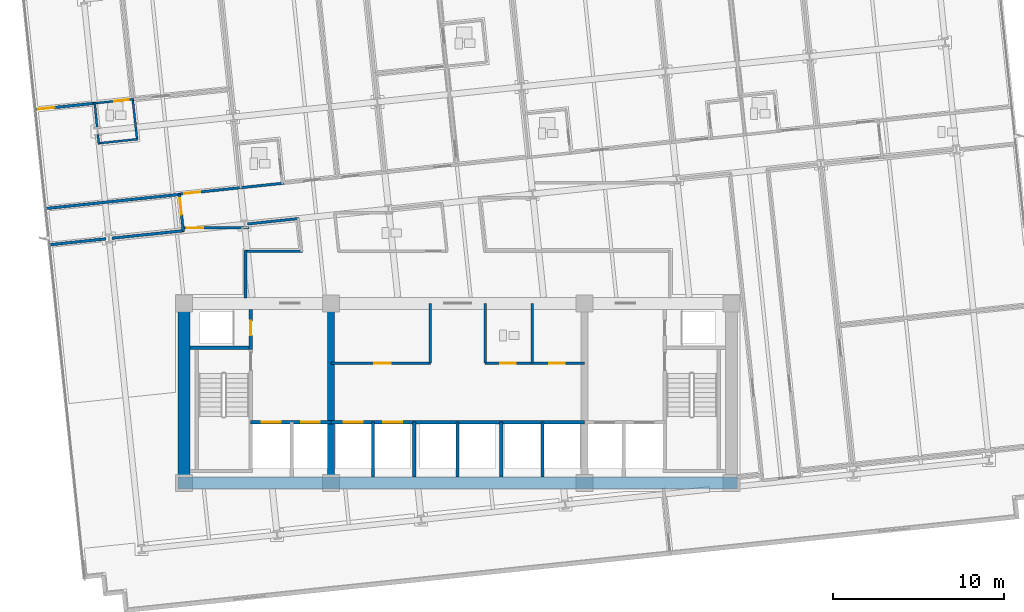
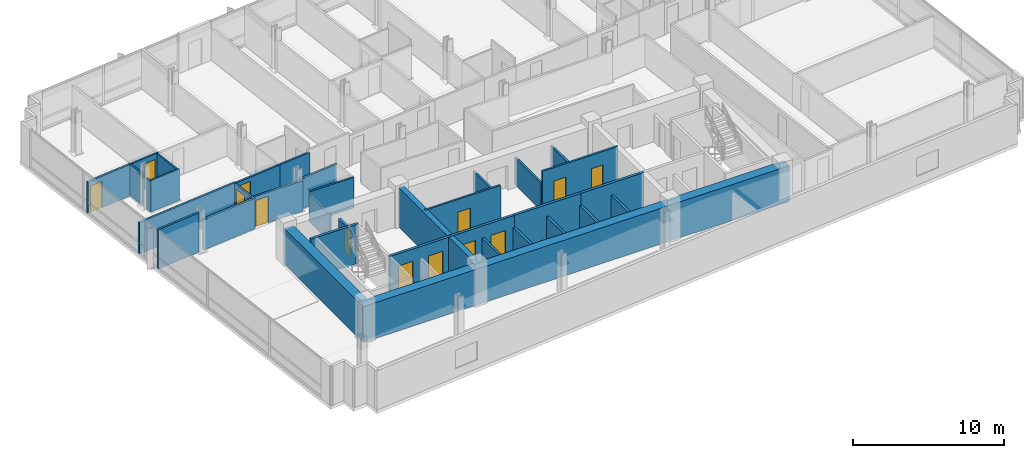
# One storey, part 10 of 19: 35 walls, 13 doors, 13 openings.
"""IFC4 building model written with IfcOpenShell, lengths in metres."""

from ifc_helpers import new_model, si_unit, direction, frame, frame_2d, origin, place, context, subcontext, project, spatial, rectangle, extrude, material, layer, layer_set, type_object, element, fill, save


model = new_model("IFC4")

# Units and contexts
model_context = context("Model", 3, precision=1e-05, world=origin(), true_north=direction((0.0, 1.0)))
body_context = subcontext(model_context, "Body", "Model", "MODEL_VIEW")
ifc_project = project(units=[si_unit("LENGTHUNIT", "METRE"), si_unit("AREAUNIT", "SQUARE_METRE"), si_unit("VOLUMEUNIT", "CUBIC_METRE"), si_unit("PLANEANGLEUNIT", "RADIAN"), si_unit("MASSUNIT", "GRAM", prefix="KILO")], contexts=[model_context])

# Site, building, storey
site_placement = place(None, origin())
site = spatial("IfcSite", under=ifc_project, at=site_placement, CompositionType="ELEMENT")
building_placement = place(site_placement, origin())
building = spatial("IfcBuilding", under=site, at=building_placement, Name="Solmavex Isthmus Hotel", CompositionType="ELEMENT")
storey_placement = place(building_placement, frame((0.0, 0.0, 83.550048828125)))
storey = spatial("IfcBuildingStorey", under=building, at=storey_placement, Name="L22", CompositionType="ELEMENT", Elevation=83.550048828125)

# Wall, opening, door
ifc_material_1 = material(Name="Gypsum plasterboard lining", Category="gypsum")
ifc_layer_1 = layer(ifc_material_1, 0.159912109375)
ifc_layer_set_1 = layer_set([ifc_layer_1], Name="Gypsum plasterboard lining")
wall_type_1 = type_object("IfcWallType", Name="IW-COMP-160", PredefinedType="PARTITIONING", material=ifc_layer_set_1)
wall_1_placement = place(storey_placement, frame((-24.714599609375, 8.822265625, 0.0), z_axis=(0.0, 0.0, 1.0), x_axis=(0.994521206634, 0.104535015934, 0.0)))
wall_1 = element("IfcWall", 1, at=wall_1_placement, inside=storey, type_object=wall_type_1, Name="Interior Partition Wall W-L22-P037", PredefinedType="PARTITIONING", context=body_context, shape_type="SweptSolid", body=[
    extrude(rectangle(XDim=3.56396484375, YDim=0.159912109375, at=frame_2d((1.781982421875, 0.0))), origin(), (0.0, 0.0, 1.0), 2.55322265625),
])
opening_1_placement = place(wall_1_placement, frame((0.2099609375, 0.0, 0.0)))
opening_1 = element("IfcOpeningElement", 2, at=opening_1_placement, cuts=wall_1, Name="Opening ID-C095", PredefinedType="OPENING", context=body_context, shape_type="SweptSolid", body=[
    extrude(rectangle(XDim=0.949951171875, YDim=2.14990234375, at=frame_2d((0.47509765625, 1.074951171875))), frame((0.0, 0.08984375, 0.0), z_axis=(0.0, -1.0, 0.0), x_axis=(1.0, 0.0, 0.0)), (0.0, 0.0, 1.0), 0.179931640625),
])
ifc_material_2 = material(Name="Hardwood timber", Category="wood")
door_type_1 = type_object("IfcDoorType", Name="IDR-FD60-0950", OperationType="NOTDEFINED", PredefinedType="DOOR", material=ifc_material_2)
door_1_placement = place(opening_1_placement, origin())
door_1 = element("IfcDoor", 3, at=door_1_placement, inside=storey, type_object=door_type_1, Name="Corner Botanical Suite Bedroom Door L22-02", OperationType="SINGLE_SWING_RIGHT", OverallHeight=2.14990234375, OverallWidth=0.949951171875, PredefinedType="DOOR", context=body_context, shape_type="SweptSolid", body=[
    extrude(rectangle(XDim=0.949951171875, YDim=2.14990234375, at=frame_2d((0.47509765625, 1.074951171875))), frame((0.0, 0.02490234375, 0.0), z_axis=(0.0, -1.0, 0.0), x_axis=(1.0, 0.0, 0.0)), (0.0, 0.0, 1.0), 0.050048828125),
])
fill(opening_1, door_1)

# Walls
wall_2_placement = place(storey_placement, frame((-16.221923828125, 3.86474609375, 0.0), z_axis=(0.0, 0.0, 1.0), x_axis=(-0.994522987852, -0.104518068455, 0.0)))
element("IfcWall", 4, at=wall_2_placement, inside=storey, type_object=wall_type_1, Name="Interior Partition Wall W-L22-P046", PredefinedType="PARTITIONING", context=body_context, shape_type="SweptSolid", body=[
    extrude(rectangle(XDim=7.927978515625, YDim=0.159912109375, at=frame_2d((3.9638671875, 0.0))), origin(), (0.0, 0.0, 1.0), 2.55322265625),
])
wall_3_placement = place(storey_placement, frame((-20.558349609375, 1.267333984375, 0.0), z_axis=(0.0, 0.0, 1.0), x_axis=(-0.99451904707, -0.10455555946, 0.0)))
element("IfcWall", 5, at=wall_3_placement, inside=storey, type_object=wall_type_1, Name="Interior Partition Wall W-L22-P086", PredefinedType="PARTITIONING", context=body_context, shape_type="SweptSolid", body=[
    extrude(rectangle(XDim=3.34375, YDim=0.159912109375, at=frame_2d((1.671875, 0.0))), origin(), (0.0, 0.0, 1.0), 3.18994140625),
])
wall_4_placement = place(storey_placement, frame((-15.9892578125, 1.74755859375, 0.0), z_axis=(0.0, 0.0, 1.0), x_axis=(-0.994523098997, -0.104517010867, 0.0)))
element("IfcWall", 6, at=wall_4_placement, inside=storey, type_object=wall_type_1, Name="Interior Partition Wall W-L22-P087", PredefinedType="PARTITIONING", context=body_context, shape_type="SweptSolid", body=[
    extrude(rectangle(XDim=4.241943359375, YDim=0.159912109375, at=frame_2d((2.12109375, 0.0))), origin(), (0.0, 0.0, 1.0), 2.4794921875),
])

# Wall, opening, door
ifc_layer_2 = layer(ifc_material_1, 0.14990234375)
ifc_layer_set_2 = layer_set([ifc_layer_2], Name="Gypsum plasterboard lining")
wall_type_2 = type_object("IfcWallType", Name="IW-CORR-150", PredefinedType="PARTITIONING", material=ifc_layer_set_2)
wall_5_placement = place(storey_placement, frame((-7.39990234375, -6.0, 0.0), z_axis=(0.0, 0.0, 1.0), x_axis=(1.0, 0.0, 0.0)))
wall_5 = element("IfcWall", 7, at=wall_5_placement, inside=storey, type_object=wall_type_2, Name="Interior Partition Wall W-L22-BOH-WS", PredefinedType="PARTITIONING", context=body_context, shape_type="SweptSolid", body=[
    extrude(rectangle(XDim=5.7998046875, YDim=0.14990234375, at=frame_2d((2.89990234375, 0.0))), origin(), (0.0, 0.0, 1.0), 3.18994140625),
])
opening_2_placement = place(wall_5_placement, frame((2.52490234375, 0.0, 0.0)))
opening_2 = element("IfcOpeningElement", 8, at=opening_2_placement, cuts=wall_5, Name="Opening ID-C095", PredefinedType="OPENING", context=body_context, shape_type="SweptSolid", body=[
    extrude(rectangle(XDim=0.949951171875, YDim=2.14990234375, at=frame_2d((0.47509765625, 1.074951171875))), frame((0.0, 0.0849609375, 0.0), z_axis=(0.0, -1.0, 0.0), x_axis=(1.0, 0.0, 0.0)), (0.0, 0.0, 1.0), 0.169921875),
])
door_2_placement = place(opening_2_placement, frame((0.949951171875, 0.0, 0.0), z_axis=(0.0, 0.0, 1.0), x_axis=(-1.0, 0.0, 0.0)))
door_2 = element("IfcDoor", 9, at=door_2_placement, inside=storey, type_object=door_type_1, Name="Housekeeping Room Door L22", OperationType="SINGLE_SWING_LEFT", OverallHeight=2.14990234375, OverallWidth=0.949951171875, PredefinedType="DOOR", context=body_context, shape_type="SweptSolid", body=[
    extrude(rectangle(XDim=0.949951171875, YDim=2.14990234375, at=frame_2d((0.47509765625, 1.074951171875))), frame((0.0, 0.02490234375, 0.0), z_axis=(0.0, -1.0, 0.0), x_axis=(1.0, 0.0, 0.0)), (0.0, 0.0, 1.0), 0.050048828125),
])
fill(opening_2, door_2)

# Wall
wall_6_placement = place(storey_placement, frame((-1.60009765625, -6.0, 0.0), z_axis=(0.0, 0.0, 1.0), x_axis=(0.0, 1.0, 0.0)))
element("IfcWall", 10, at=wall_6_placement, inside=storey, type_object=wall_type_2, Name="Interior Partition Wall W-L22-BOH-WE", PredefinedType="PARTITIONING", context=body_context, shape_type="SweptSolid", body=[
    extrude(rectangle(XDim=3.5, YDim=0.14990234375, at=frame_2d((1.75, 0.0))), origin(), (0.0, 0.0, 1.0), 2.224853515625),
])

# Wall, openings, doors
wall_7_placement = place(storey_placement, frame((1.60009765625, -6.0, 0.0), z_axis=(0.0, 0.0, 1.0), x_axis=(1.0, 0.0, 0.0)))
wall_7 = element("IfcWall", 11, at=wall_7_placement, inside=storey, type_object=wall_type_2, Name="Interior Partition Wall W-L22-BOH-ES", PredefinedType="PARTITIONING", context=body_context, shape_type="SweptSolid", body=[
    extrude(rectangle(XDim=5.7998046875, YDim=0.14990234375, at=frame_2d((2.89990234375, 0.0))), origin(), (0.0, 0.0, 1.0), 3.18994140625),
])
opening_3_placement = place(wall_7_placement, frame((0.89990234375, 0.0, 0.0)))
opening_3 = element("IfcOpeningElement", 12, at=opening_3_placement, cuts=wall_7, Name="Opening ID-C090", PredefinedType="OPENING", context=body_context, shape_type="SweptSolid", body=[
    extrude(rectangle(XDim=0.89990234375, YDim=2.10009765625, at=frame_2d((0.449951171875, 1.050048828125))), frame((0.0, 0.0849609375, 0.0), z_axis=(0.0, -1.0, 0.0), x_axis=(1.0, 0.0, 0.0)), (0.0, 0.0, 1.0), 0.169921875),
])
opening_4_placement = place(wall_7_placement, frame((3.75, 0.0, 0.0)))
opening_4 = element("IfcOpeningElement", 13, at=opening_4_placement, cuts=wall_7, Name="Opening ID-C090", PredefinedType="OPENING", context=body_context, shape_type="SweptSolid", body=[
    extrude(rectangle(XDim=0.89990234375, YDim=2.10009765625, at=frame_2d((0.449951171875, 1.050048828125))), frame((0.0, 0.0849609375, 0.0), z_axis=(0.0, -1.0, 0.0), x_axis=(1.0, 0.0, 0.0)), (0.0, 0.0, 1.0), 0.169921875),
])
door_type_2 = type_object("IfcDoorType", Name="IDR-FD60-0900", OperationType="NOTDEFINED", PredefinedType="DOOR", material=ifc_material_2)
door_3_placement = place(opening_3_placement, frame((0.89990234375, 0.0, 0.0), z_axis=(0.0, 0.0, 1.0), x_axis=(-1.0, 0.0, 0.0)))
door_3 = element("IfcDoor", 14, at=door_3_placement, inside=storey, type_object=door_type_2, Name="Staff WC Door L22", OperationType="SINGLE_SWING_RIGHT", OverallHeight=2.10009765625, OverallWidth=0.89990234375, PredefinedType="DOOR", context=body_context, shape_type="SweptSolid", body=[
    extrude(rectangle(XDim=0.89990234375, YDim=2.10009765625, at=frame_2d((0.449951171875, 1.050048828125))), frame((0.0, 0.02490234375, 0.0), z_axis=(0.0, -1.0, 0.0), x_axis=(1.0, 0.0, 0.0)), (0.0, 0.0, 1.0), 0.050048828125),
])
fill(opening_3, door_3)
door_4_placement = place(opening_4_placement, frame((0.89990234375, 0.0, 0.0), z_axis=(0.0, 0.0, 1.0), x_axis=(-1.0, 0.0, 0.0)))
door_4 = element("IfcDoor", 15, at=door_4_placement, inside=storey, type_object=door_type_2, Name="Pantry Door L22", OperationType="SINGLE_SWING_LEFT", OverallHeight=2.10009765625, OverallWidth=0.89990234375, PredefinedType="DOOR", context=body_context, shape_type="SweptSolid", body=[
    extrude(rectangle(XDim=0.89990234375, YDim=2.10009765625, at=frame_2d((0.449951171875, 1.050048828125))), frame((0.0, 0.02490234375, 0.0), z_axis=(0.0, -1.0, 0.0), x_axis=(1.0, 0.0, 0.0)), (0.0, 0.0, 1.0), 0.050048828125),
])
fill(opening_4, door_4)

# Wall
wall_8_placement = place(storey_placement, frame((1.60009765625, -6.0, 0.0), z_axis=(0.0, 0.0, 1.0), x_axis=(0.0, 1.0, 0.0)))
element("IfcWall", 16, at=wall_8_placement, inside=storey, type_object=wall_type_2, Name="Interior Partition Wall W-L22-BOH-EW", PredefinedType="PARTITIONING", context=body_context, shape_type="SweptSolid", body=[
    extrude(rectangle(XDim=3.5, YDim=0.14990234375, at=frame_2d((1.75, 0.0))), origin(), (0.0, 0.0, 1.0), 2.224853515625),
])

# Wall, opening, door
wall_9_placement = place(storey_placement, frame((-16.303466796875, 3.87646484375, 0.0), z_axis=(0.0, 0.0, 1.0), x_axis=(0.994525204328, 0.104496975826, 0.0)))
wall_9 = element("IfcWall", 17, at=wall_9_placement, inside=storey, type_object=wall_type_2, Name="Interior Partition Wall W-L22-P001", PredefinedType="PARTITIONING", context=body_context, shape_type="SweptSolid", body=[
    extrude(rectangle(XDim=3.7216796875, YDim=0.14990234375, at=frame_2d((1.86083984375, 0.0))), origin(), (0.0, 0.0, 1.0), 2.4794921875),
])
opening_5_placement = place(wall_9_placement, frame((0.315185546875, 0.0, 0.0)))
opening_5 = element("IfcOpeningElement", 18, at=opening_5_placement, cuts=wall_9, Name="Opening ID-C095", PredefinedType="OPENING", context=body_context, shape_type="SweptSolid", body=[
    extrude(rectangle(XDim=0.949951171875, YDim=2.14990234375, at=frame_2d((0.47509765625, 1.074951171875))), frame((0.0, 0.0849609375, 0.0), z_axis=(0.0, -1.0, 0.0), x_axis=(1.0, 0.0, 0.0)), (0.0, 0.0, 1.0), 0.169921875),
])
door_5_placement = place(opening_5_placement, origin())
door_5 = element("IfcDoor", 19, at=door_5_placement, inside=storey, type_object=door_type_1, Name="Corner Botanical Suite Reception Foyer Door L22-01", OperationType="SINGLE_SWING_LEFT", OverallHeight=2.14990234375, OverallWidth=0.949951171875, PredefinedType="DOOR", context=body_context, shape_type="SweptSolid", body=[
    extrude(rectangle(XDim=0.949951171875, YDim=2.14990234375, at=frame_2d((0.47509765625, 1.074951171875))), frame((0.0, 0.02490234375, 0.0), z_axis=(0.0, -1.0, 0.0), x_axis=(1.0, 0.0, 0.0)), (0.0, 0.0, 1.0), 0.050048828125),
])
fill(opening_5, door_5)

# Wall
wall_10_placement = place(storey_placement, frame((-12.76513671875, 4.248291015625, 0.0), z_axis=(0.0, 0.0, 1.0), x_axis=(0.994524370789, 0.104504908528, 0.0)))
element("IfcWall", 20, at=wall_10_placement, inside=storey, type_object=wall_type_2, Name="Interior Partition Wall W-L22-P003", PredefinedType="PARTITIONING", context=body_context, shape_type="SweptSolid", body=[
    extrude(rectangle(XDim=2.6142578125, YDim=0.14990234375, at=frame_2d((1.30712890625, 0.0))), origin(), (0.0, 0.0, 1.0), 2.4794921875),
])

# Wall, opening, door
wall_11_placement = place(storey_placement, frame((-16.034912109375, 1.70263671875, 0.0), z_axis=(0.0, 0.0, 1.0), x_axis=(-0.104512255544, 0.994523598735, 0.0)))
wall_11 = element("IfcWall", 21, at=wall_11_placement, inside=storey, type_object=wall_type_2, Name="Interior Partition Wall W-L22-P020", PredefinedType="PARTITIONING", context=body_context, shape_type="SweptSolid", body=[
    extrude(rectangle(XDim=2.2099609375, YDim=0.14990234375, at=frame_2d((1.10498046875, 0.0))), origin(), (0.0, 0.0, 1.0), 2.4794921875),
])
opening_6_placement = place(wall_11_placement, frame((0.98779296875, 0.0, 0.0)))
opening_6 = element("IfcOpeningElement", 22, at=opening_6_placement, cuts=wall_11, Name="Opening ID-C095", PredefinedType="OPENING", context=body_context, shape_type="SweptSolid", body=[
    extrude(rectangle(XDim=0.949951171875, YDim=2.14990234375, at=frame_2d((0.47509765625, 1.074951171875))), frame((0.0, 0.0849609375, 0.0), z_axis=(0.0, -1.0, 0.0), x_axis=(1.0, 0.0, 0.0)), (0.0, 0.0, 1.0), 0.169921875),
])
door_6_placement = place(opening_6_placement, origin())
door_6 = element("IfcDoor", 23, at=door_6_placement, inside=storey, type_object=door_type_1, Name="Wellness Treatment Room Door L22-21", OperationType="SINGLE_SWING_LEFT", OverallHeight=2.14990234375, OverallWidth=0.949951171875, PredefinedType="DOOR", context=body_context, shape_type="SweptSolid", body=[
    extrude(rectangle(XDim=0.949951171875, YDim=2.14990234375, at=frame_2d((0.47509765625, 1.074951171875))), frame((0.0, 0.02490234375, 0.0), z_axis=(0.0, -1.0, 0.0), x_axis=(1.0, 0.0, 0.0)), (0.0, 0.0, 1.0), 0.050048828125),
])
fill(opening_6, door_6)

# Walls
wall_12_placement = place(storey_placement, frame((-12.39990234375, -2.18994140625, 0.0), z_axis=(0.0, 0.0, 1.0), x_axis=(0.0, 1.0, 0.0)))
element("IfcWall", 24, at=wall_12_placement, inside=storey, type_object=wall_type_2, Name="Interior Partition Wall W-L22-P031", PredefinedType="PARTITIONING", context=body_context, shape_type="SweptSolid", body=[
    extrude(rectangle(XDim=2.780029296875, YDim=0.14990234375, at=frame_2d((1.39013671875, 0.0))), origin(), (0.0, 0.0, 1.0), 2.224853515625),
])
wall_13_placement = place(storey_placement, frame((-12.43994140625, 0.550048828125, 0.0), z_axis=(0.0, 0.0, 1.0), x_axis=(1.0, 0.0, 0.0)))
element("IfcWall", 25, at=wall_13_placement, inside=storey, type_object=wall_type_2, Name="Interior Partition Wall W-L22-P032", PredefinedType="PARTITIONING", context=body_context, shape_type="SweptSolid", body=[
    extrude(rectangle(XDim=3.3564453125, YDim=0.14990234375, at=frame_2d((1.67822265625, 0.0))), origin(), (0.0, 0.0, 1.0), 2.4794921875),
])
wall_14_placement = place(storey_placement, frame((-9.283203125, 2.452392578125, 0.0), z_axis=(0.0, 0.0, 1.0), x_axis=(-0.994518748051, -0.104558403652, 0.0)))
element("IfcWall", 26, at=wall_14_placement, inside=storey, type_object=wall_type_2, Name="Interior Partition Wall W-L22-P034", PredefinedType="PARTITIONING", context=body_context, shape_type="SweptSolid", body=[
    extrude(rectangle(XDim=3.016845703125, YDim=0.14990234375, at=frame_2d((1.50830078125, 0.0))), origin(), (0.0, 0.0, 1.0), 2.4794921875),
])

# Wall, opening, door
wall_15_placement = place(storey_placement, frame((-12.203857421875, 1.903564453125, 0.0), z_axis=(0.0, 0.0, 1.0), x_axis=(-1.0, 0.0, 0.0)))
wall_15 = element("IfcWall", 27, at=wall_15_placement, inside=storey, type_object=wall_type_2, Name="Interior Partition Wall W-L22-P035", PredefinedType="PARTITIONING", context=body_context, shape_type="SweptSolid", body=[
    extrude(rectangle(XDim=3.875, YDim=0.14990234375, at=frame_2d((1.9375, 0.0))), origin(), (0.0, 0.0, 1.0), 2.4794921875),
])
opening_7_placement = place(wall_15_placement, frame((2.6669921875, 0.0, 0.0)))
opening_7 = element("IfcOpeningElement", 28, at=opening_7_placement, cuts=wall_15, Name="Opening ID-C095", PredefinedType="OPENING", context=body_context, shape_type="SweptSolid", body=[
    extrude(rectangle(XDim=0.949951171875, YDim=2.14990234375, at=frame_2d((0.47509765625, 1.074951171875))), frame((0.0, 0.0849609375, 0.0), z_axis=(0.0, -1.0, 0.0), x_axis=(1.0, 0.0, 0.0)), (0.0, 0.0, 1.0), 0.169921875),
])
door_7_placement = place(opening_7_placement, origin())
door_7 = element("IfcDoor", 29, at=door_7_placement, inside=storey, type_object=door_type_1, Name="Wellness Treatment Room Door L22-25", OperationType="SINGLE_SWING_LEFT", OverallHeight=2.14990234375, OverallWidth=0.949951171875, PredefinedType="DOOR", context=body_context, shape_type="SweptSolid", body=[
    extrude(rectangle(XDim=0.949951171875, YDim=2.14990234375, at=frame_2d((0.47509765625, 1.074951171875))), frame((0.0, 0.02490234375, 0.0), z_axis=(0.0, -1.0, 0.0), x_axis=(1.0, 0.0, 0.0)), (0.0, 0.0, 1.0), 0.050048828125),
])
fill(opening_7, door_7)

# Walls
ifc_layer_3 = layer(ifc_material_1, 0.1201171875)
ifc_layer_set_3 = layer_set([ifc_layer_3], Name="Gypsum plasterboard lining")
wall_type_3 = type_object("IfcWallType", Name="IW-PART-120", PredefinedType="PARTITIONING", material=ifc_layer_set_3)
wall_16_placement = place(storey_placement, frame((4.35009765625, -6.0, 0.0), z_axis=(0.0, 0.0, 1.0), x_axis=(0.0, 1.0, 0.0)))
element("IfcWall", 30, at=wall_16_placement, inside=storey, type_object=wall_type_3, Name="Interior Partition Wall W-L22-BOH-EM0", PredefinedType="PARTITIONING", context=body_context, shape_type="SweptSolid", body=[
    extrude(rectangle(XDim=3.5, YDim=0.14990234375, at=frame_2d((1.75, 0.0))), origin(), (0.0, 0.0, 1.0), 2.224853515625),
])
wall_17_placement = place(storey_placement, frame((-21.2138671875, 9.23046875, 0.0), z_axis=(0.0, 0.0, 1.0), x_axis=(0.097602755553, -0.995225452904, 0.0)))
element("IfcWall", 31, at=wall_17_placement, inside=storey, type_object=wall_type_3, Name="Interior Partition Wall W-L22-P039", PredefinedType="PARTITIONING", context=body_context, shape_type="SweptSolid", body=[
    extrude(rectangle(XDim=1.513427734375, YDim=0.1201171875, at=frame_2d((0.7568359375, 0.0))), origin(), (0.0, 0.0, 1.0), 2.55322265625),
])
wall_18_placement = place(storey_placement, frame((-21.029052734375, 7.3740234375, 0.0), z_axis=(0.0, 0.0, 1.0), x_axis=(0.104684784518, -0.994505452921, 0.0)))
element("IfcWall", 32, at=wall_18_placement, inside=storey, type_object=wall_type_3, Name="Interior Partition Wall W-L22-P040", PredefinedType="PARTITIONING", context=body_context, shape_type="SweptSolid", body=[
    extrude(rectangle(XDim=0.564453125, YDim=0.1201171875, at=frame_2d((0.2822265625, 0.0))), origin(), (0.0, 0.0, 1.0), 2.4794921875),
])
wall_19_placement = place(storey_placement, frame((-21.013916015625, 6.84814453125, 0.0), z_axis=(0.0, 0.0, 1.0), x_axis=(0.994516930255, 0.104575692382, 0.0)))
element("IfcWall", 33, at=wall_19_placement, inside=storey, type_object=wall_type_3, Name="Interior Partition Wall W-L22-P041", PredefinedType="PARTITIONING", context=body_context, shape_type="SweptSolid", body=[
    extrude(rectangle(XDim=2.329833984375, YDim=0.1201171875, at=frame_2d((1.1650390625, 0.0))), origin(), (0.0, 0.0, 1.0), 2.55322265625),
])
wall_20_placement = place(storey_placement, frame((-18.732177734375, 7.0478515625, 0.0), z_axis=(0.0, 0.0, 1.0), x_axis=(-0.108810361378, 0.994062525829, 0.0)))
element("IfcWall", 34, at=wall_20_placement, inside=storey, type_object=wall_type_3, Name="Interior Partition Wall W-L22-P042", PredefinedType="PARTITIONING", context=body_context, shape_type="SweptSolid", body=[
    extrude(rectangle(XDim=2.429931640625, YDim=0.1201171875, at=frame_2d((1.21484375, 0.0))), origin(), (0.0, 0.0, 1.0), 2.4794921875),
])

# Wall, opening, door
wall_21_placement = place(storey_placement, frame((-18.9423828125, 9.428955078125, 0.0), z_axis=(0.0, 0.0, 1.0), x_axis=(-0.994517852755, -0.104566919011, 0.0)))
wall_21 = element("IfcWall", 35, at=wall_21_placement, inside=storey, type_object=wall_type_3, Name="Interior Partition Wall W-L22-P048", PredefinedType="PARTITIONING", context=body_context, shape_type="SweptSolid", body=[
    extrude(rectangle(XDim=2.3720703125, YDim=0.1201171875, at=frame_2d((1.18603515625, 0.0))), origin(), (0.0, 0.0, 1.0), 2.55322265625),
])
opening_8_placement = place(wall_21_placement, frame((0.27978515625, 0.0, 0.0)))
opening_8 = element("IfcOpeningElement", 36, at=opening_8_placement, cuts=wall_21, Name="Opening ID-U085", PredefinedType="OPENING", context=body_context, shape_type="SweptSolid", body=[
    extrude(rectangle(XDim=0.85009765625, YDim=2.10009765625, at=frame_2d((0.425048828125, 1.050048828125))), frame((0.0, 0.070068359375, 0.0), z_axis=(0.0, -1.0, 0.0), x_axis=(1.0, 0.0, 0.0)), (0.0, 0.0, 1.0), 0.14013671875),
])
door_type_3 = type_object("IfcDoorType", Name="IDR-UNR-0850", OperationType="NOTDEFINED", PredefinedType="DOOR", material=ifc_material_2)
door_8_placement = place(opening_8_placement, frame((0.85009765625, 0.0, 0.0), z_axis=(0.0, 0.0, 1.0), x_axis=(-1.0, 0.0, 0.0)))
door_8 = element("IfcDoor", 37, at=door_8_placement, inside=storey, type_object=door_type_3, Name="En-suite Bathroom Door L22-04", OperationType="SINGLE_SWING_RIGHT", OverallHeight=2.10009765625, OverallWidth=0.85009765625, PredefinedType="DOOR", context=body_context, shape_type="SweptSolid", body=[
    extrude(rectangle(XDim=0.85009765625, YDim=2.10009765625, at=frame_2d((0.425048828125, 1.050048828125))), frame((0.0, 0.02490234375, 0.0), z_axis=(0.0, -1.0, 0.0), x_axis=(1.0, 0.0, 0.0)), (0.0, 0.0, 1.0), 0.050048828125),
])
fill(opening_8, door_8)

# Walls
ifc_material_3 = material(Name="Concrete C40/50", Category="concrete")
ifc_layer_4 = layer(ifc_material_3, 0.179931640625)
ifc_layer_set_4 = layer_set([ifc_layer_4], Name="Concrete C40/50")
wall_type_4 = type_object("IfcWallType", Name="IW-SHAFT-180", PredefinedType="PARTITIONING", material=ifc_layer_set_4)
for number, where, z_axis, x_axis, name in (
    (38, (-4.949951171875, -12.64990234375, 0.0), (0.0, 0.0, 1.0), (0.0, 1.0, 0.0), "Interior Partition Wall W-L22-SH-PLL-M"),
    (39, (0.0, -12.64990234375, 0.0), (0.0, 0.0, 1.0), (0.0, 1.0, 0.0), "Interior Partition Wall W-L22-SH-PLM-M"),
    (40, (4.949951171875, -12.64990234375, 0.0), (0.0, 0.0, 1.0), (0.0, 1.0, 0.0), "Interior Partition Wall W-L22-SH-PLH-M"),
):
    element("IfcWall", number, at=place(storey_placement, frame(where, z_axis=z_axis, x_axis=x_axis)), inside=storey, type_object=wall_type_4, Name=name, PredefinedType="PARTITIONING", context=body_context, shape_type="SweptSolid", body=[
        extrude(rectangle(XDim=3.199951171875, YDim=0.179931640625, at=frame_2d((1.60009765625, 0.0))), origin(), (0.0, 0.0, 1.0), 2.224853515625),
    ])

# Wall, opening, door
ifc_layer_5 = layer(ifc_material_3, 0.199951171875)
ifc_layer_set_5 = layer_set([ifc_layer_5], Name="Concrete C40/50")
wall_type_5 = type_object("IfcWallType", Name="IW-SHAFT-200", PredefinedType="PARTITIONING", material=ifc_layer_set_5)
wall_22_placement = place(storey_placement, frame((-12.10009765625, -5.199951171875, 0.0), z_axis=(0.0, 0.0, 1.0), x_axis=(0.0, 1.0, 0.0)))
wall_22 = element("IfcWall", 41, at=wall_22_placement, inside=storey, type_object=wall_type_5, Name="Interior Partition Wall W-L22-RSW-E", PredefinedType="PARTITIONING", context=body_context, shape_type="SweptSolid", body=[
    extrude(rectangle(XDim=2.349853515625, YDim=0.199951171875, at=frame_2d((1.1748046875, 0.0))), origin(), (0.0, 0.0, 1.0), 2.224853515625),
])
opening_9_placement = place(wall_22_placement, frame((0.824951171875, 0.0, 0.0)))
opening_9 = element("IfcOpeningElement", 42, at=opening_9_placement, cuts=wall_22, Name="Opening ID-R085", PredefinedType="OPENING", context=body_context, shape_type="SweptSolid", body=[
    extrude(rectangle(XDim=0.85009765625, YDim=2.050048828125, at=frame_2d((0.425048828125, 1.02490234375))), frame((0.0, 0.10986328125, 0.0), z_axis=(0.0, -1.0, 0.0), x_axis=(1.0, 0.0, 0.0)), (0.0, 0.0, 1.0), 0.219970703125),
])
ifc_material_4 = material(Name="Steel ASTM A500 Grade C", Category="steel")
door_type_4 = type_object("IfcDoorType", Name="IDR-FD60-0850", OperationType="NOTDEFINED", PredefinedType="DOOR", material=ifc_material_4)
door_9_placement = place(opening_9_placement, origin())
door_9 = element("IfcDoor", 43, at=door_9_placement, inside=storey, type_object=door_type_4, Name="Electrical Riser Door L22", OperationType="SINGLE_SWING_RIGHT", OverallHeight=2.050048828125, OverallWidth=0.85009765625, PredefinedType="DOOR", context=body_context, shape_type="SweptSolid", body=[
    extrude(rectangle(XDim=0.85009765625, YDim=2.050048828125, at=frame_2d((0.425048828125, 1.02490234375))), frame((0.0, 0.02490234375, 0.0), z_axis=(0.0, -1.0, 0.0), x_axis=(1.0, 0.0, 0.0)), (0.0, 0.0, 1.0), 0.050048828125),
])
fill(opening_9, door_9)

# Wall, openings, doors
wall_23_placement = place(storey_placement, frame((-12.10009765625, -9.449951171875, 0.0), z_axis=(0.0, 0.0, 1.0), x_axis=(1.0, 0.0, 0.0)))
wall_23 = element("IfcWall", 44, at=wall_23_placement, inside=storey, type_object=wall_type_5, Name="Interior Partition Wall W-L22-FFLW-S", PredefinedType="PARTITIONING", context=body_context, shape_type="SweptSolid", body=[
    extrude(rectangle(XDim=4.7001953125, YDim=0.199951171875, at=frame_2d((2.35009765625, 0.0))), origin(), (0.0, 0.0, 1.0), 3.18994140625),
])
opening_10_placement = place(wall_23_placement, frame((0.64990234375, 0.0, 0.0)))
opening_10 = element("IfcOpeningElement", 45, at=opening_10_placement, cuts=wall_23, Name="Opening LD-FF", PredefinedType="OPENING", context=body_context, shape_type="SweptSolid", body=[
    extrude(rectangle(XDim=1.10009765625, YDim=2.199951171875, at=frame_2d((0.550048828125, 1.10009765625))), frame((0.0, 0.10986328125, 0.0), z_axis=(0.0, -1.0, 0.0), x_axis=(1.0, 0.0, 0.0)), (0.0, 0.0, 1.0), 0.219970703125),
])
opening_11_placement = place(wall_23_placement, frame((2.949951171875, 0.0, 0.0)))
opening_11 = element("IfcOpeningElement", 46, at=opening_11_placement, cuts=wall_23, Name="Opening LD-SV", PredefinedType="OPENING", context=body_context, shape_type="SweptSolid", body=[
    extrude(rectangle(XDim=1.10009765625, YDim=2.199951171875, at=frame_2d((0.550048828125, 1.10009765625))), frame((0.0, 0.10986328125, 0.0), z_axis=(0.0, -1.0, 0.0), x_axis=(1.0, 0.0, 0.0)), (0.0, 0.0, 1.0), 0.219970703125),
])
ifc_material_5 = material(Name="Stainless steel 316", Category="steel")
door_type_5 = type_object("IfcDoorType", Name="LDR-FF-1100", OperationType="NOTDEFINED", PredefinedType="DOOR", material=ifc_material_5)
door_10_placement = place(opening_10_placement, origin())
door_10 = element("IfcDoor", 47, at=door_10_placement, inside=storey, type_object=door_type_5, Name="Lift Landing Door FFL-1 L22", OperationType="SLIDING_TO_LEFT", OverallHeight=2.199951171875, OverallWidth=1.10009765625, PredefinedType="DOOR", context=body_context, shape_type="SweptSolid", body=[
    extrude(rectangle(XDim=1.10009765625, YDim=2.199951171875, at=frame_2d((0.550048828125, 1.10009765625))), frame((0.0, 0.02490234375, 0.0), z_axis=(0.0, -1.0, 0.0), x_axis=(1.0, 0.0, 0.0)), (0.0, 0.0, 1.0), 0.050048828125),
])
fill(opening_10, door_10)
door_type_6 = type_object("IfcDoorType", Name="LDR-SV-1100", OperationType="NOTDEFINED", PredefinedType="DOOR", material=ifc_material_5)
door_11_placement = place(opening_11_placement, origin())
door_11 = element("IfcDoor", 48, at=door_11_placement, inside=storey, type_object=door_type_6, Name="Lift Landing Door SVL-1 L22", OperationType="SLIDING_TO_RIGHT", OverallHeight=2.199951171875, OverallWidth=1.10009765625, PredefinedType="DOOR", context=body_context, shape_type="SweptSolid", body=[
    extrude(rectangle(XDim=1.10009765625, YDim=2.199951171875, at=frame_2d((0.550048828125, 1.10009765625))), frame((0.0, 0.02490234375, 0.0), z_axis=(0.0, -1.0, 0.0), x_axis=(1.0, 0.0, 0.0)), (0.0, 0.0, 1.0), 0.050048828125),
])
fill(opening_11, door_11)

wall_24_placement = place(storey_placement, frame((-7.39990234375, -9.449951171875, 0.0), z_axis=(0.0, 0.0, 1.0), x_axis=(1.0, 0.0, 0.0)))
wall_24 = element("IfcWall", 49, at=wall_24_placement, inside=storey, type_object=wall_type_5, Name="Interior Partition Wall W-L22-SH-PLL", PredefinedType="PARTITIONING", context=body_context, shape_type="SweptSolid", body=[
    extrude(rectangle(XDim=4.849853515625, YDim=0.199951171875, at=frame_2d((2.4248046875, 0.0))), origin(), (0.0, 0.0, 1.0), 3.18994140625),
])
opening_12_placement = place(wall_24_placement, frame((0.75, 0.0, 0.0)))
opening_12 = element("IfcOpeningElement", 50, at=opening_12_placement, cuts=wall_24, Name="Opening LD-PL", PredefinedType="OPENING", context=body_context, shape_type="SweptSolid", body=[
    extrude(rectangle(XDim=1.10009765625, YDim=2.199951171875, at=frame_2d((0.550048828125, 1.10009765625))), frame((0.0, 0.10986328125, 0.0), z_axis=(0.0, -1.0, 0.0), x_axis=(1.0, 0.0, 0.0)), (0.0, 0.0, 1.0), 0.219970703125),
])
opening_13_placement = place(wall_24_placement, frame((3.050048828125, 0.0, 0.0)))
opening_13 = element("IfcOpeningElement", 51, at=opening_13_placement, cuts=wall_24, Name="Opening LD-PL", PredefinedType="OPENING", context=body_context, shape_type="SweptSolid", body=[
    extrude(rectangle(XDim=1.10009765625, YDim=2.199951171875, at=frame_2d((0.550048828125, 1.10009765625))), frame((0.0, 0.10986328125, 0.0), z_axis=(0.0, -1.0, 0.0), x_axis=(1.0, 0.0, 0.0)), (0.0, 0.0, 1.0), 0.219970703125),
])
door_type_7 = type_object("IfcDoorType", Name="LDR-PL-1100", OperationType="NOTDEFINED", PredefinedType="DOOR", material=ifc_material_5)
door_12_placement = place(opening_12_placement, origin())
door_12 = element("IfcDoor", 52, at=door_12_placement, inside=storey, type_object=door_type_7, Name="Lift Landing Door PLL1 L22", OperationType="SLIDING_TO_LEFT", OverallHeight=2.199951171875, OverallWidth=1.10009765625, PredefinedType="DOOR", context=body_context, shape_type="SweptSolid", body=[
    extrude(rectangle(XDim=1.10009765625, YDim=2.199951171875, at=frame_2d((0.550048828125, 1.10009765625))), frame((0.0, 0.02490234375, 0.0), z_axis=(0.0, -1.0, 0.0), x_axis=(1.0, 0.0, 0.0)), (0.0, 0.0, 1.0), 0.050048828125),
])
fill(opening_12, door_12)
door_13_placement = place(opening_13_placement, origin())
door_13 = element("IfcDoor", 53, at=door_13_placement, inside=storey, type_object=door_type_7, Name="Lift Landing Door PLL2 L22", OperationType="SLIDING_TO_LEFT", OverallHeight=2.199951171875, OverallWidth=1.10009765625, PredefinedType="DOOR", context=body_context, shape_type="SweptSolid", body=[
    extrude(rectangle(XDim=1.10009765625, YDim=2.199951171875, at=frame_2d((0.550048828125, 1.10009765625))), frame((0.0, 0.02490234375, 0.0), z_axis=(0.0, -1.0, 0.0), x_axis=(1.0, 0.0, 0.0)), (0.0, 0.0, 1.0), 0.050048828125),
])
fill(opening_13, door_13)

# Walls
wall_25_placement = place(storey_placement, frame((-2.550048828125, -12.64990234375, 0.0), z_axis=(0.0, 0.0, 1.0), x_axis=(0.0, 1.0, 0.0)))
element("IfcWall", 54, at=wall_25_placement, inside=storey, type_object=wall_type_5, Name="Interior Partition Wall W-L22-SH-PLL-E", PredefinedType="PARTITIONING", context=body_context, shape_type="SweptSolid", body=[
    extrude(rectangle(XDim=3.199951171875, YDim=0.199951171875, at=frame_2d((1.60009765625, 0.0))), origin(), (0.0, 0.0, 1.0), 2.224853515625),
])
wall_26_placement = place(storey_placement, frame((-2.550048828125, -9.449951171875, 0.0), z_axis=(0.0, 0.0, 1.0), x_axis=(1.0, 0.0, 0.0)))
element("IfcWall", 55, at=wall_26_placement, inside=storey, type_object=wall_type_5, Name="Interior Partition Wall W-L22-SH-PLM", PredefinedType="PARTITIONING", context=body_context, shape_type="SweptSolid", body=[
    extrude(rectangle(XDim=5.10009765625, YDim=0.199951171875, at=frame_2d((2.550048828125, 0.0))), origin(), (0.0, 0.0, 1.0), 3.18994140625),
])
wall_27_placement = place(storey_placement, frame((2.550048828125, -12.64990234375, 0.0), z_axis=(0.0, 0.0, 1.0), x_axis=(0.0, 1.0, 0.0)))
element("IfcWall", 56, at=wall_27_placement, inside=storey, type_object=wall_type_5, Name="Interior Partition Wall W-L22-SH-PLM-E", PredefinedType="PARTITIONING", context=body_context, shape_type="SweptSolid", body=[
    extrude(rectangle(XDim=3.199951171875, YDim=0.199951171875, at=frame_2d((1.60009765625, 0.0))), origin(), (0.0, 0.0, 1.0), 2.224853515625),
])
wall_28_placement = place(storey_placement, frame((2.550048828125, -9.449951171875, 0.0), z_axis=(0.0, 0.0, 1.0), x_axis=(1.0, 0.0, 0.0)))
element("IfcWall", 57, at=wall_28_placement, inside=storey, type_object=wall_type_5, Name="Interior Partition Wall W-L22-SH-PLH", PredefinedType="PARTITIONING", context=body_context, shape_type="SweptSolid", body=[
    extrude(rectangle(XDim=4.849853515625, YDim=0.199951171875, at=frame_2d((2.4248046875, 0.0))), origin(), (0.0, 0.0, 1.0), 3.18994140625),
])
ifc_material_6 = material(Name="Concrete C60/75", Category="concrete")
ifc_layer_6 = layer(ifc_material_6, 0.39990234375)
ifc_layer_set_6 = layer_set([ifc_layer_6], Name="Concrete C60/75")
wall_type_6 = type_object("IfcWallType", Name="WALL-CW-400M", PredefinedType="SHEAR", material=ifc_layer_set_6)
wall_29_placement = place(storey_placement, frame((-7.39990234375, -12.64990234375, 0.0), z_axis=(0.0, 0.0, 1.0), x_axis=(0.0, 1.0, 0.0)))
element("IfcWall", 58, at=wall_29_placement, inside=storey, type_object=wall_type_6, Name="Core Cross Shear Wall C1 L22", PredefinedType="SHEAR", context=body_context, shape_type="SweptSolid", body=[
    extrude(rectangle(XDim=9.7998046875, YDim=0.39990234375, at=frame_2d((4.89990234375, 0.0))), origin(), (0.0, 0.0, 1.0), 3.18994140625),
])
ifc_layer_7 = layer(ifc_material_6, 0.699951171875)
ifc_layer_set_7 = layer_set([ifc_layer_7], Name="Concrete C60/75")
wall_type_7 = type_object("IfcWallType", Name="WALL-CW-700", PredefinedType="SHEAR", material=ifc_layer_set_7)
wall_30_placement = place(storey_placement, frame((-16.35009765625, -13.0, 0.0), z_axis=(0.0, 0.0, 1.0), x_axis=(1.0, 0.0, 0.0)))
element("IfcWall", 59, at=wall_30_placement, inside=storey, type_object=wall_type_7, Name="Core Shear Wall South L22", PredefinedType="SHEAR", context=body_context, shape_type="SweptSolid", body=[
    extrude(rectangle(XDim=32.7001953125, YDim=0.699951171875, at=frame_2d((16.35009765625, 0.0))), origin(), (0.0, 0.0, 1.0), 2.909912109375),
])
wall_31_placement = place(storey_placement, frame((-16.0, -12.64990234375, 0.0), z_axis=(0.0, 0.0, 1.0), x_axis=(0.0, 1.0, 0.0)))
element("IfcWall", 60, at=wall_31_placement, inside=storey, type_object=wall_type_7, Name="Core Shear Wall West L22", PredefinedType="SHEAR", context=body_context, shape_type="SweptSolid", body=[
    extrude(rectangle(XDim=9.7998046875, YDim=0.699951171875, at=frame_2d((4.89990234375, 0.0))), origin(), (0.0, 0.0, 1.0), 2.909912109375),
])
ifc_layer_8 = layer(ifc_material_3, 0.199951171875)
ifc_layer_set_8 = layer_set([ifc_layer_8], Name="Concrete C40/50")
wall_type_8 = type_object("IfcWallType", Name="WALL-SW-200", PredefinedType="SOLIDWALL", material=ifc_layer_set_8)
wall_32_placement = place(storey_placement, frame((-15.64990234375, -5.10009765625, 0.0), z_axis=(0.0, 0.0, 1.0), x_axis=(1.0, 0.0, 0.0)))
element("IfcWall", 61, at=wall_32_placement, inside=storey, type_object=wall_type_8, Name="Stairwell Structural Wall SW-L22-ST1-N", PredefinedType="SOLIDWALL", context=body_context, shape_type="SweptSolid", body=[
    extrude(rectangle(XDim=3.64990234375, YDim=0.199951171875, at=frame_2d((1.824951171875, 0.0))), origin(), (0.0, 0.0, 1.0), 3.18994140625),
])

save(model, "model.ifc")
